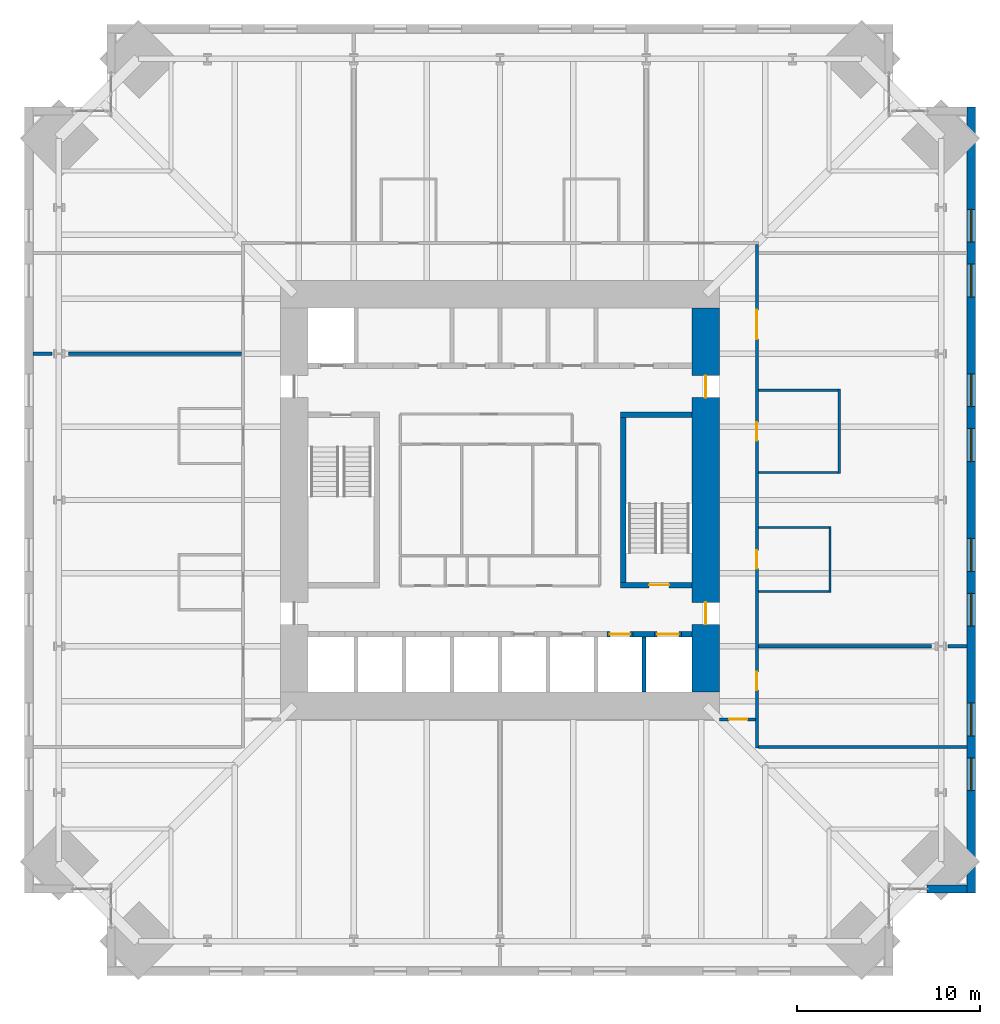
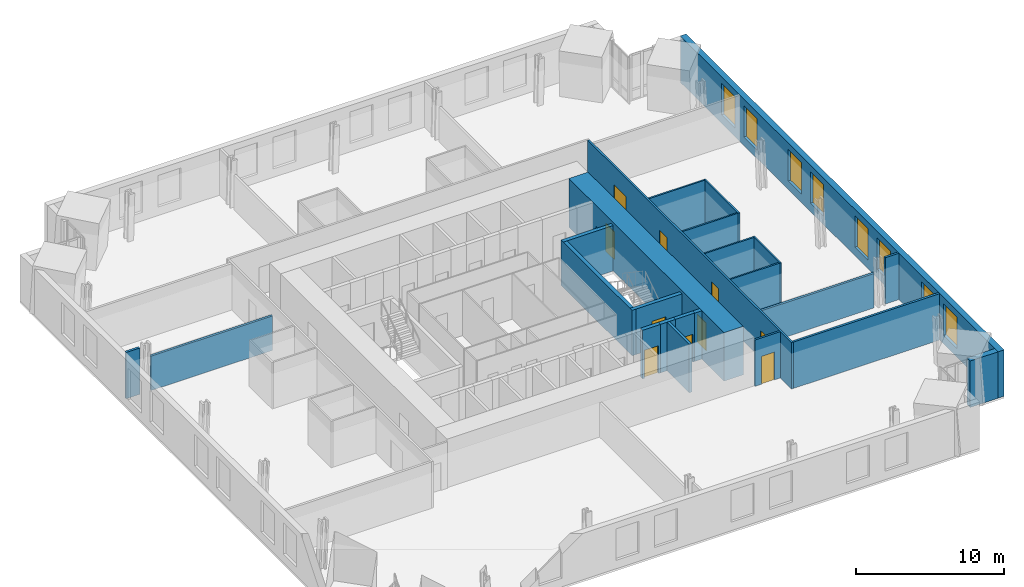
# One storey, part 15 of 18: 24 walls, 10 doors, 8 windows, 18 openings.
"""IFC4 building model written with IfcOpenShell, lengths in metres."""

from ifc_helpers import new_model, si_unit, direction, frame, frame_2d, origin, place, context, subcontext, project, spatial, rectangle, extrude, material, layer, layer_set, type_object, element, fill, save


model = new_model("IFC4")

# Units and contexts
model_context = context("Model", 3, precision=1e-05, world=origin(), true_north=direction((0.0, 1.0)))
body_context = subcontext(model_context, "Body", "Model", "MODEL_VIEW")
ifc_project = project(units=[si_unit("LENGTHUNIT", "METRE"), si_unit("AREAUNIT", "SQUARE_METRE"), si_unit("VOLUMEUNIT", "CUBIC_METRE"), si_unit("PLANEANGLEUNIT", "RADIAN"), si_unit("MASSUNIT", "GRAM", prefix="KILO")], contexts=[model_context])

# Site, building, storey
site_placement = place(None, origin())
site = spatial("IfcSite", under=ifc_project, at=site_placement, CompositionType="ELEMENT")
building_placement = place(site_placement, origin())
building = spatial("IfcBuilding", under=site, at=building_placement, Name="Peilmerk Tower", CompositionType="ELEMENT")
storey_placement = place(building_placement, frame((0.0, 0.0, 167.800048828125)))
storey = spatial("IfcBuildingStorey", under=building, at=storey_placement, Name="L35", CompositionType="ELEMENT", Elevation=167.800048828125)

# Wall, openings, windows
ifc_material_1 = material(Name="Precast concrete C45/55, board-marked finish", Category="concrete")
ifc_layer_1 = layer(ifc_material_1, 0.449951171875)
ifc_layer_set_1 = layer_set([ifc_layer_1], Name="Precast concrete C45/55, board-marked finish")
wall_type_1 = type_object("IfcWallType", Name="EW1 450 precast concrete facade wall, board-marked", PredefinedType="SOLIDWALL", material=ifc_layer_set_1)
wall_1_placement = place(storey_placement, frame((25.77490234375, -21.5, 0.0), z_axis=(0.0, 0.0, 1.0), x_axis=(0.0, 1.0, 0.0)))
wall_1 = element("IfcWall", 1, at=wall_1_placement, inside=storey, type_object=wall_type_1, Name="Facade wall E L35", PredefinedType="SOLIDWALL", context=body_context, shape_type="SweptSolid", body=[
    extrude(rectangle(XDim=43.0, YDim=0.449951171875, at=frame_2d((21.5, 0.0))), origin(), (0.0, 0.0, 1.0), 3.829833984375),
])
opening_1_placement = place(wall_1_placement, frame((5.60009765625, 0.0, 0.699951171875)))
opening_1 = element("IfcOpeningElement", 2, at=opening_1_placement, cuts=wall_1, Name="Opening W1", PredefinedType="OPENING", context=body_context, shape_type="SweptSolid", body=[
    extrude(rectangle(XDim=1.800048828125, YDim=2.60009765625, at=frame_2d((0.89990234375, 1.300048828125))), frame((0.0, 0.23486328125, 0.0), z_axis=(0.0, -1.0, 0.0), x_axis=(1.0, 0.0, 0.0)), (0.0, 0.0, 1.0), 0.469970703125),
])
opening_2_placement = place(wall_1_placement, frame((8.60009765625, 0.0, 0.699951171875)))
opening_2 = element("IfcOpeningElement", 3, at=opening_2_placement, cuts=wall_1, Name="Opening W1", PredefinedType="OPENING", context=body_context, shape_type="SweptSolid", body=[
    extrude(rectangle(XDim=1.800048828125, YDim=2.60009765625, at=frame_2d((0.89990234375, 1.300048828125))), frame((0.0, 0.23486328125, 0.0), z_axis=(0.0, -1.0, 0.0), x_axis=(1.0, 0.0, 0.0)), (0.0, 0.0, 1.0), 0.469970703125),
])
opening_3_placement = place(wall_1_placement, frame((14.60009765625, 0.0, 0.699951171875)))
opening_3 = element("IfcOpeningElement", 4, at=opening_3_placement, cuts=wall_1, Name="Opening W1", PredefinedType="OPENING", context=body_context, shape_type="SweptSolid", body=[
    extrude(rectangle(XDim=1.800048828125, YDim=2.60009765625, at=frame_2d((0.89990234375, 1.300048828125))), frame((0.0, 0.23486328125, 0.0), z_axis=(0.0, -1.0, 0.0), x_axis=(1.0, 0.0, 0.0)), (0.0, 0.0, 1.0), 0.469970703125),
])
opening_4_placement = place(wall_1_placement, frame((17.60009765625, 0.0, 0.699951171875)))
opening_4 = element("IfcOpeningElement", 5, at=opening_4_placement, cuts=wall_1, Name="Opening W1", PredefinedType="OPENING", context=body_context, shape_type="SweptSolid", body=[
    extrude(rectangle(XDim=1.800048828125, YDim=2.60009765625, at=frame_2d((0.89990234375, 1.300048828125))), frame((0.0, 0.23486328125, 0.0), z_axis=(0.0, -1.0, 0.0), x_axis=(1.0, 0.0, 0.0)), (0.0, 0.0, 1.0), 0.469970703125),
])
opening_5_placement = place(wall_1_placement, frame((23.60009765625, 0.0, 0.699951171875)))
opening_5 = element("IfcOpeningElement", 6, at=opening_5_placement, cuts=wall_1, Name="Opening W1", PredefinedType="OPENING", context=body_context, shape_type="SweptSolid", body=[
    extrude(rectangle(XDim=1.800048828125, YDim=2.60009765625, at=frame_2d((0.89990234375, 1.300048828125))), frame((0.0, 0.23486328125, 0.0), z_axis=(0.0, -1.0, 0.0), x_axis=(1.0, 0.0, 0.0)), (0.0, 0.0, 1.0), 0.469970703125),
])
opening_6_placement = place(wall_1_placement, frame((26.60009765625, 0.0, 0.699951171875)))
opening_6 = element("IfcOpeningElement", 7, at=opening_6_placement, cuts=wall_1, Name="Opening W1", PredefinedType="OPENING", context=body_context, shape_type="SweptSolid", body=[
    extrude(rectangle(XDim=1.800048828125, YDim=2.60009765625, at=frame_2d((0.89990234375, 1.300048828125))), frame((0.0, 0.23486328125, 0.0), z_axis=(0.0, -1.0, 0.0), x_axis=(1.0, 0.0, 0.0)), (0.0, 0.0, 1.0), 0.469970703125),
])
opening_7_placement = place(wall_1_placement, frame((32.60009765625, 0.0, 0.699951171875)))
opening_7 = element("IfcOpeningElement", 8, at=opening_7_placement, cuts=wall_1, Name="Opening W1", PredefinedType="OPENING", context=body_context, shape_type="SweptSolid", body=[
    extrude(rectangle(XDim=1.800048828125, YDim=2.60009765625, at=frame_2d((0.89990234375, 1.300048828125))), frame((0.0, 0.23486328125, 0.0), z_axis=(0.0, -1.0, 0.0), x_axis=(1.0, 0.0, 0.0)), (0.0, 0.0, 1.0), 0.469970703125),
])
opening_8_placement = place(wall_1_placement, frame((35.60009765625, 0.0, 0.699951171875)))
opening_8 = element("IfcOpeningElement", 9, at=opening_8_placement, cuts=wall_1, Name="Opening W1", PredefinedType="OPENING", context=body_context, shape_type="SweptSolid", body=[
    extrude(rectangle(XDim=1.800048828125, YDim=2.60009765625, at=frame_2d((0.89990234375, 1.300048828125))), frame((0.0, 0.23486328125, 0.0), z_axis=(0.0, -1.0, 0.0), x_axis=(1.0, 0.0, 0.0)), (0.0, 0.0, 1.0), 0.469970703125),
])
ifc_material_2 = material(Name="Aluminium frame, clear double glazing", Category="aluminium")
window_type = type_object("IfcWindowType", Name="W1 1800x2600 office window", PartitioningType="SINGLE_PANEL", PredefinedType="WINDOW", material=ifc_material_2)
window_1_placement = place(opening_1_placement, origin())
window_1 = element("IfcWindow", 10, at=window_1_placement, inside=storey, type_object=window_type, Name="Window W1 L35", OverallHeight=2.60009765625, OverallWidth=1.800048828125, PartitioningType="SINGLE_PANEL", PredefinedType="WINDOW", context=body_context, shape_type="SweptSolid", body=[
    extrude(rectangle(XDim=1.800048828125, YDim=2.60009765625, at=frame_2d((0.89990234375, 1.300048828125))), frame((0.0, 0.030029296875, 0.0), z_axis=(0.0, -1.0, 0.0), x_axis=(1.0, 0.0, 0.0)), (0.0, 0.0, 1.0), 0.06005859375),
])
fill(opening_1, window_1)
window_2_placement = place(opening_2_placement, origin())
window_2 = element("IfcWindow", 11, at=window_2_placement, inside=storey, type_object=window_type, Name="Window W1 L35", OverallHeight=2.60009765625, OverallWidth=1.800048828125, PartitioningType="SINGLE_PANEL", PredefinedType="WINDOW", context=body_context, shape_type="SweptSolid", body=[
    extrude(rectangle(XDim=1.800048828125, YDim=2.60009765625, at=frame_2d((0.89990234375, 1.300048828125))), frame((0.0, 0.030029296875, 0.0), z_axis=(0.0, -1.0, 0.0), x_axis=(1.0, 0.0, 0.0)), (0.0, 0.0, 1.0), 0.06005859375),
])
fill(opening_2, window_2)
window_3_placement = place(opening_3_placement, origin())
window_3 = element("IfcWindow", 12, at=window_3_placement, inside=storey, type_object=window_type, Name="Window W1 L35", OverallHeight=2.60009765625, OverallWidth=1.800048828125, PartitioningType="SINGLE_PANEL", PredefinedType="WINDOW", context=body_context, shape_type="SweptSolid", body=[
    extrude(rectangle(XDim=1.800048828125, YDim=2.60009765625, at=frame_2d((0.89990234375, 1.300048828125))), frame((0.0, 0.030029296875, 0.0), z_axis=(0.0, -1.0, 0.0), x_axis=(1.0, 0.0, 0.0)), (0.0, 0.0, 1.0), 0.06005859375),
])
fill(opening_3, window_3)
window_4_placement = place(opening_4_placement, origin())
window_4 = element("IfcWindow", 13, at=window_4_placement, inside=storey, type_object=window_type, Name="Window W1 L35", OverallHeight=2.60009765625, OverallWidth=1.800048828125, PartitioningType="SINGLE_PANEL", PredefinedType="WINDOW", context=body_context, shape_type="SweptSolid", body=[
    extrude(rectangle(XDim=1.800048828125, YDim=2.60009765625, at=frame_2d((0.89990234375, 1.300048828125))), frame((0.0, 0.030029296875, 0.0), z_axis=(0.0, -1.0, 0.0), x_axis=(1.0, 0.0, 0.0)), (0.0, 0.0, 1.0), 0.06005859375),
])
fill(opening_4, window_4)
window_5_placement = place(opening_5_placement, origin())
window_5 = element("IfcWindow", 14, at=window_5_placement, inside=storey, type_object=window_type, Name="Window W1 L35", OverallHeight=2.60009765625, OverallWidth=1.800048828125, PartitioningType="SINGLE_PANEL", PredefinedType="WINDOW", context=body_context, shape_type="SweptSolid", body=[
    extrude(rectangle(XDim=1.800048828125, YDim=2.60009765625, at=frame_2d((0.89990234375, 1.300048828125))), frame((0.0, 0.030029296875, 0.0), z_axis=(0.0, -1.0, 0.0), x_axis=(1.0, 0.0, 0.0)), (0.0, 0.0, 1.0), 0.06005859375),
])
fill(opening_5, window_5)
window_6_placement = place(opening_6_placement, origin())
window_6 = element("IfcWindow", 15, at=window_6_placement, inside=storey, type_object=window_type, Name="Window W1 L35", OverallHeight=2.60009765625, OverallWidth=1.800048828125, PartitioningType="SINGLE_PANEL", PredefinedType="WINDOW", context=body_context, shape_type="SweptSolid", body=[
    extrude(rectangle(XDim=1.800048828125, YDim=2.60009765625, at=frame_2d((0.89990234375, 1.300048828125))), frame((0.0, 0.030029296875, 0.0), z_axis=(0.0, -1.0, 0.0), x_axis=(1.0, 0.0, 0.0)), (0.0, 0.0, 1.0), 0.06005859375),
])
fill(opening_6, window_6)
window_7_placement = place(opening_7_placement, origin())
window_7 = element("IfcWindow", 16, at=window_7_placement, inside=storey, type_object=window_type, Name="Window W1 L35", OverallHeight=2.60009765625, OverallWidth=1.800048828125, PartitioningType="SINGLE_PANEL", PredefinedType="WINDOW", context=body_context, shape_type="SweptSolid", body=[
    extrude(rectangle(XDim=1.800048828125, YDim=2.60009765625, at=frame_2d((0.89990234375, 1.300048828125))), frame((0.0, 0.030029296875, 0.0), z_axis=(0.0, -1.0, 0.0), x_axis=(1.0, 0.0, 0.0)), (0.0, 0.0, 1.0), 0.06005859375),
])
fill(opening_7, window_7)
window_8_placement = place(opening_8_placement, origin())
window_8 = element("IfcWindow", 17, at=window_8_placement, inside=storey, type_object=window_type, Name="Window W1 L35", OverallHeight=2.60009765625, OverallWidth=1.800048828125, PartitioningType="SINGLE_PANEL", PredefinedType="WINDOW", context=body_context, shape_type="SweptSolid", body=[
    extrude(rectangle(XDim=1.800048828125, YDim=2.60009765625, at=frame_2d((0.89990234375, 1.300048828125))), frame((0.0, 0.030029296875, 0.0), z_axis=(0.0, -1.0, 0.0), x_axis=(1.0, 0.0, 0.0)), (0.0, 0.0, 1.0), 0.06005859375),
])
fill(opening_8, window_8)

# Wall
wall_2_placement = place(storey_placement, frame((23.353759765625, -21.27490234375, 0.0), z_axis=(0.0, 0.0, 1.0), x_axis=(1.0, 0.0, 0.0)))
element("IfcWall", 18, at=wall_2_placement, inside=storey, type_object=wall_type_1, Name="Facade wall SEB L35", PredefinedType="SOLIDWALL", context=body_context, shape_type="SweptSolid", body=[
    extrude(rectangle(XDim=2.1962890625, YDim=0.449951171875, at=frame_2d((1.09814453125, 0.0))), origin(), (0.0, 0.0, 1.0), 3.829833984375),
])

# Wall, openings, doors
ifc_material_3 = material(Name="Calcium silicate block", Category="masonry")
ifc_layer_2 = layer(ifc_material_3, 0.14990234375)
ifc_layer_set_2 = layer_set([ifc_layer_2], Name="Calcium silicate block")
wall_type_2 = type_object("IfcWallType", Name="IW1 150 corridor partition, EI 60", PredefinedType="PARTITIONING", material=ifc_layer_set_2)
wall_3_placement = place(storey_placement, frame((14.050048828125, -13.574951171875, 0.0), z_axis=(0.0, 0.0, 1.0), x_axis=(0.0, 1.0, 0.0)))
wall_3 = element("IfcWall", 19, at=wall_3_placement, inside=storey, type_object=wall_type_2, Name="Corridor wall E L35", PredefinedType="PARTITIONING", context=body_context, shape_type="SweptSolid", body=[
    extrude(rectangle(XDim=27.550048828125, YDim=0.14990234375, at=frame_2d((13.77490234375, 0.0))), origin(), (0.0, 0.0, 1.0), 3.829833984375),
])
opening_9_placement = place(wall_3_placement, frame((3.175048828125, 0.0, 0.0)))
opening_9 = element("IfcOpeningElement", 20, at=opening_9_placement, cuts=wall_3, Name="Opening D1", PredefinedType="OPENING", context=body_context, shape_type="SweptSolid", body=[
    extrude(rectangle(XDim=1.0, YDim=2.300048828125, at=frame_2d((0.5, 1.14990234375))), frame((0.0, 0.0849609375, 0.0), z_axis=(0.0, -1.0, 0.0), x_axis=(1.0, 0.0, 0.0)), (0.0, 0.0, 1.0), 0.169921875),
])
opening_10_placement = place(wall_3_placement, frame((22.375, 0.0, 0.0)))
opening_10 = element("IfcOpeningElement", 21, at=opening_10_placement, cuts=wall_3, Name="Opening D9", PredefinedType="OPENING", context=body_context, shape_type="SweptSolid", body=[
    extrude(rectangle(XDim=1.60009765625, YDim=2.300048828125, at=frame_2d((0.800048828125, 1.14990234375))), frame((0.0, 0.0849609375, 0.0), z_axis=(0.0, -1.0, 0.0), x_axis=(1.0, 0.0, 0.0)), (0.0, 0.0, 1.0), 0.169921875),
])
opening_11_placement = place(wall_3_placement, frame((16.824951171875, 0.0, 0.0)))
opening_11 = element("IfcOpeningElement", 22, at=opening_11_placement, cuts=wall_3, Name="Opening D1", PredefinedType="OPENING", context=body_context, shape_type="SweptSolid", body=[
    extrude(rectangle(XDim=1.0, YDim=2.300048828125, at=frame_2d((0.5, 1.14990234375))), frame((0.0, 0.0849609375, 0.0), z_axis=(0.0, -1.0, 0.0), x_axis=(1.0, 0.0, 0.0)), (0.0, 0.0, 1.0), 0.169921875),
])
opening_12_placement = place(wall_3_placement, frame((9.824951171875, 0.0, 0.0)))
opening_12 = element("IfcOpeningElement", 23, at=opening_12_placement, cuts=wall_3, Name="Opening D1", PredefinedType="OPENING", context=body_context, shape_type="SweptSolid", body=[
    extrude(rectangle(XDim=1.0, YDim=2.300048828125, at=frame_2d((0.5, 1.14990234375))), frame((0.0, 0.0849609375, 0.0), z_axis=(0.0, -1.0, 0.0), x_axis=(1.0, 0.0, 0.0)), (0.0, 0.0, 1.0), 0.169921875),
])
ifc_material_4 = material(Name="Timber door in steel frame", Category="steel")
door_type_1 = type_object("IfcDoorType", Name="D1 1000x2300 room door, EI2 30", OperationType="SINGLE_SWING_LEFT", PredefinedType="DOOR", material=ifc_material_4)
door_1_placement = place(opening_9_placement, frame((1.0, 0.0, 0.0), z_axis=(0.0, 0.0, 1.0), x_axis=(-1.0, 0.0, 0.0)))
door_1 = element("IfcDoor", 24, at=door_1_placement, inside=storey, type_object=door_type_1, Name="Door Project room L35", OperationType="SINGLE_SWING_LEFT", OverallHeight=2.300048828125, OverallWidth=1.0, PredefinedType="DOOR", context=body_context, shape_type="SweptSolid", body=[
    extrude(rectangle(XDim=1.0, YDim=2.300048828125, at=frame_2d((0.5, 1.14990234375))), frame((0.0, 0.02490234375, 0.0), z_axis=(0.0, -1.0, 0.0), x_axis=(1.0, 0.0, 0.0)), (0.0, 0.0, 1.0), 0.050048828125),
])
fill(opening_9, door_1)
door_2_placement = place(opening_11_placement, frame((1.0, 0.0, 0.0), z_axis=(0.0, 0.0, 1.0), x_axis=(-1.0, 0.0, 0.0)))
door_2 = element("IfcDoor", 25, at=door_2_placement, inside=storey, type_object=door_type_1, Name="Door Meeting room L35", OperationType="SINGLE_SWING_LEFT", OverallHeight=2.300048828125, OverallWidth=1.0, PredefinedType="DOOR", context=body_context, shape_type="SweptSolid", body=[
    extrude(rectangle(XDim=1.0, YDim=2.300048828125, at=frame_2d((0.5, 1.14990234375))), frame((0.0, 0.02490234375, 0.0), z_axis=(0.0, -1.0, 0.0), x_axis=(1.0, 0.0, 0.0)), (0.0, 0.0, 1.0), 0.050048828125),
])
fill(opening_11, door_2)
door_3_placement = place(opening_12_placement, frame((1.0, 0.0, 0.0), z_axis=(0.0, 0.0, 1.0), x_axis=(-1.0, 0.0, 0.0)))
door_3 = element("IfcDoor", 26, at=door_3_placement, inside=storey, type_object=door_type_1, Name="Door Pantry L35", OperationType="SINGLE_SWING_LEFT", OverallHeight=2.300048828125, OverallWidth=1.0, PredefinedType="DOOR", context=body_context, shape_type="SweptSolid", body=[
    extrude(rectangle(XDim=1.0, YDim=2.300048828125, at=frame_2d((0.5, 1.14990234375))), frame((0.0, 0.02490234375, 0.0), z_axis=(0.0, -1.0, 0.0), x_axis=(1.0, 0.0, 0.0)), (0.0, 0.0, 1.0), 0.050048828125),
])
fill(opening_12, door_3)
ifc_material_5 = material(Name="Glazed timber door in steel frame", Category="steel")
door_type_2 = type_object("IfcDoorType", Name="D9 1600x2300 glazed double door, EI2 30", OperationType="DOUBLE_DOOR_SINGLE_SWING", PredefinedType="DOOR", material=ifc_material_5)
door_4_placement = place(opening_10_placement, frame((1.60009765625, 0.0, 0.0), z_axis=(0.0, 0.0, 1.0), x_axis=(-1.0, 0.0, 0.0)))
door_4 = element("IfcDoor", 27, at=door_4_placement, inside=storey, type_object=door_type_2, Name="Door Open workspace L35", OperationType="DOUBLE_DOOR_SINGLE_SWING", OverallHeight=2.300048828125, OverallWidth=1.60009765625, PredefinedType="DOOR", context=body_context, shape_type="SweptSolid", body=[
    extrude(rectangle(XDim=1.60009765625, YDim=2.300048828125, at=frame_2d((0.800048828125, 1.14990234375))), frame((0.0, 0.02490234375, 0.0), z_axis=(0.0, -1.0, 0.0), x_axis=(1.0, 0.0, 0.0)), (0.0, 0.0, 1.0), 0.050048828125),
])
fill(opening_10, door_4)

# Wall, opening, door
wall_4_placement = place(storey_placement, frame((13.97509765625, -12.0, 0.0), z_axis=(0.0, 0.0, 1.0), x_axis=(-1.0, 0.0, 0.0)))
wall_4 = element("IfcWall", 28, at=wall_4_placement, inside=storey, type_object=wall_type_2, Name="Corridor wall SE L35", PredefinedType="PARTITIONING", context=body_context, shape_type="SweptSolid", body=[
    extrude(rectangle(XDim=1.97509765625, YDim=0.14990234375, at=frame_2d((0.987548828125, 0.0))), origin(), (0.0, 0.0, 1.0), 3.829833984375),
])
opening_13_placement = place(wall_4_placement, frame((0.449951171875, 0.0, 0.0)))
opening_13 = element("IfcOpeningElement", 29, at=opening_13_placement, cuts=wall_4, Name="Opening D1", PredefinedType="OPENING", context=body_context, shape_type="SweptSolid", body=[
    extrude(rectangle(XDim=1.0, YDim=2.300048828125, at=frame_2d((0.5, 1.14990234375))), frame((0.0, 0.0849609375, 0.0), z_axis=(0.0, -1.0, 0.0), x_axis=(1.0, 0.0, 0.0)), (0.0, 0.0, 1.0), 0.169921875),
])
door_5_placement = place(opening_13_placement, origin())
door_5 = element("IfcDoor", 30, at=door_5_placement, inside=storey, type_object=door_type_1, Name="Door Open workspace L35", OperationType="SINGLE_SWING_LEFT", OverallHeight=2.300048828125, OverallWidth=1.0, PredefinedType="DOOR", context=body_context, shape_type="SweptSolid", body=[
    extrude(rectangle(XDim=1.0, YDim=2.300048828125, at=frame_2d((0.5, 1.14990234375))), frame((0.0, 0.02490234375, 0.0), z_axis=(0.0, -1.0, 0.0), x_axis=(1.0, 0.0, 0.0)), (0.0, 0.0, 1.0), 0.050048828125),
])
fill(opening_13, door_5)

# Walls
ifc_material_6 = material(Name="Concrete C35/45", Category="concrete")
ifc_layer_3 = layer(ifc_material_6, 0.300048828125)
ifc_layer_set_3 = layer_set([ifc_layer_3], Name="Concrete C35/45")
wall_type_3 = type_object("IfcWallType", Name="IW3 300 concrete stair enclosure wall, EI 120", PredefinedType="SOLIDWALL", material=ifc_layer_set_3)
wall_5_placement = place(storey_placement, frame((6.75, -4.800048828125, 0.0), z_axis=(0.0, 0.0, 1.0), x_axis=(0.0, 1.0, 0.0)))
element("IfcWall", 31, at=wall_5_placement, inside=storey, type_object=wall_type_3, Name="Stair 2 enclosure L35", PredefinedType="SOLIDWALL", context=body_context, shape_type="SweptSolid", body=[
    extrude(rectangle(XDim=9.60009765625, YDim=0.300048828125, at=frame_2d((4.800048828125, 0.0))), origin(), (0.0, 0.0, 1.0), 3.75),
])
wall_6_placement = place(storey_placement, frame((6.60009765625, 4.64990234375, 0.0), z_axis=(0.0, 0.0, 1.0), x_axis=(1.0, 0.0, 0.0)))
element("IfcWall", 32, at=wall_6_placement, inside=storey, type_object=wall_type_3, Name="Stair 2 enclosure L35", PredefinedType="SOLIDWALL", context=body_context, shape_type="SweptSolid", body=[
    extrude(rectangle(XDim=3.89990234375, YDim=0.300048828125, at=frame_2d((1.949951171875, 0.0))), origin(), (0.0, 0.0, 1.0), 3.75),
])

# Wall, opening, door
wall_7_placement = place(storey_placement, frame((10.5, -4.64990234375, 0.0), z_axis=(0.0, 0.0, 1.0), x_axis=(-1.0, 0.0, 0.0)))
wall_7 = element("IfcWall", 33, at=wall_7_placement, inside=storey, type_object=wall_type_3, Name="Stair 2 enclosure L35", PredefinedType="SOLIDWALL", context=body_context, shape_type="SweptSolid", body=[
    extrude(rectangle(XDim=3.89990234375, YDim=0.300048828125, at=frame_2d((1.949951171875, 0.0))), origin(), (0.0, 0.0, 1.0), 3.75),
])
opening_14_placement = place(wall_7_placement, frame((1.25, 0.0, 0.0)))
opening_14 = element("IfcOpeningElement", 34, at=opening_14_placement, cuts=wall_7, Name="Opening D4", PredefinedType="OPENING", context=body_context, shape_type="SweptSolid", body=[
    extrude(rectangle(XDim=1.10009765625, YDim=2.300048828125, at=frame_2d((0.550048828125, 1.14990234375))), frame((0.0, 0.159912109375, 0.0), z_axis=(0.0, -1.0, 0.0), x_axis=(1.0, 0.0, 0.0)), (0.0, 0.0, 1.0), 0.320068359375),
])
ifc_material_7 = material(Name="Steel door in steel frame", Category="steel")
door_type_3 = type_object("IfcDoorType", Name="D4 1100x2300 stair door, EI2 60", OperationType="SINGLE_SWING_RIGHT", PredefinedType="DOOR", material=ifc_material_7)
door_6_placement = place(opening_14_placement, frame((1.10009765625, 0.0, 0.0), z_axis=(0.0, 0.0, 1.0), x_axis=(-1.0, 0.0, 0.0)))
door_6 = element("IfcDoor", 35, at=door_6_placement, inside=storey, type_object=door_type_3, Name="Stair 2 door L35", OperationType="SINGLE_SWING_RIGHT", OverallHeight=2.300048828125, OverallWidth=1.10009765625, PredefinedType="DOOR", context=body_context, shape_type="SweptSolid", body=[
    extrude(rectangle(XDim=1.10009765625, YDim=2.300048828125, at=frame_2d((0.550048828125, 1.14990234375))), frame((0.0, 0.02490234375, 0.0), z_axis=(0.0, -1.0, 0.0), x_axis=(1.0, 0.0, 0.0)), (0.0, 0.0, 1.0), 0.050048828125),
])
fill(opening_14, door_6)

# Walls
ifc_material_8 = material(Name="Plasterboard on steel studs, double boarded with mineral wool", Category="steel")
ifc_layer_4 = layer(ifc_material_8, 0.125)
ifc_layer_set_4 = layer_set([ifc_layer_4], Name="Plasterboard on steel studs, double boarded with mineral wool")
wall_type_4 = type_object("IfcWallType", Name="IW7 125 acoustic partition, EI 30", PredefinedType="PARTITIONING", material=ifc_layer_set_4)
wall_8_placement = place(storey_placement, frame((18.550048828125, 1.4375, 0.0), z_axis=(0.0, 0.0, 1.0), x_axis=(0.0, 1.0, 0.0)))
element("IfcWall", 36, at=wall_8_placement, inside=storey, type_object=wall_type_4, Name="Acoustic partition Meeting room L35", PredefinedType="PARTITIONING", context=body_context, shape_type="SweptSolid", body=[
    extrude(rectangle(XDim=4.625, YDim=0.125, at=frame_2d((2.3125, 0.0))), origin(), (0.0, 0.0, 1.0), 3.829833984375),
])
for number, where, z_axis, x_axis, name in (
    (37, (14.125, 1.5, 0.0), (0.0, 0.0, 1.0), (1.0, 0.0, 0.0), "Acoustic partition Meeting room L35"),
    (38, (14.125, 6.0, 0.0), (0.0, 0.0, 1.0), (1.0, 0.0, 0.0), "Acoustic partition Meeting room L35"),
):
    element("IfcWall", number, at=place(storey_placement, frame(where, z_axis=z_axis, x_axis=x_axis)), inside=storey, type_object=wall_type_4, Name=name, PredefinedType="PARTITIONING", context=body_context, shape_type="SweptSolid", body=[
        extrude(rectangle(XDim=4.362548828125, YDim=0.125, at=frame_2d((2.18115234375, 0.0))), origin(), (0.0, 0.0, 1.0), 3.829833984375),
    ])
wall_9_placement = place(storey_placement, frame((18.050048828125, -5.0625, 0.0), z_axis=(0.0, 0.0, 1.0), x_axis=(0.0, 1.0, 0.0)))
element("IfcWall", 39, at=wall_9_placement, inside=storey, type_object=wall_type_4, Name="Acoustic partition Pantry L35", PredefinedType="PARTITIONING", context=body_context, shape_type="SweptSolid", body=[
    extrude(rectangle(XDim=3.625, YDim=0.125, at=frame_2d((1.8125, 0.0))), origin(), (0.0, 0.0, 1.0), 3.829833984375),
])
for number, where, z_axis, x_axis, name in (
    (40, (14.125, -5.0, 0.0), (0.0, 0.0, 1.0), (1.0, 0.0, 0.0), "Acoustic partition Pantry L35"),
    (41, (14.125, -1.5, 0.0), (0.0, 0.0, 1.0), (1.0, 0.0, 0.0), "Acoustic partition Pantry L35"),
):
    element("IfcWall", number, at=place(storey_placement, frame(where, z_axis=z_axis, x_axis=x_axis)), inside=storey, type_object=wall_type_4, Name=name, PredefinedType="PARTITIONING", context=body_context, shape_type="SweptSolid", body=[
        extrude(rectangle(XDim=3.862548828125, YDim=0.125, at=frame_2d((1.93115234375, 0.0))), origin(), (0.0, 0.0, 1.0), 3.829833984375),
    ])
ifc_layer_5 = layer(ifc_material_3, 0.175048828125)
ifc_layer_set_5 = layer_set([ifc_layer_5], Name="Calcium silicate block")
wall_type_5 = type_object("IfcWallType", Name="IW8 175 tenant separating wall, EI 60", PredefinedType="PARTITIONING", material=ifc_layer_set_5)
wall_10_placement = place(storey_placement, frame((25.550048828125, -13.5, 0.0), z_axis=(0.0, 0.0, 1.0), x_axis=(-1.0, 0.0, 0.0)))
element("IfcWall", 42, at=wall_10_placement, inside=storey, type_object=wall_type_5, Name="Tenant separating wall SE L35", PredefinedType="PARTITIONING", context=body_context, shape_type="SweptSolid", body=[
    extrude(rectangle(XDim=11.425048828125, YDim=0.175048828125, at=frame_2d((5.71240234375, 0.0))), origin(), (0.0, 0.0, 1.0), 3.829833984375),
])
wall_11_placement = place(storey_placement, frame((14.125, -8.0, 0.0), z_axis=(0.0, 0.0, 1.0), x_axis=(1.0, 0.0, 0.0)))
element("IfcWall", 43, at=wall_11_placement, inside=storey, type_object=wall_type_5, Name="Tenant separating wall E1 L35", PredefinedType="PARTITIONING", context=body_context, shape_type="SweptSolid", body=[
    extrude(rectangle(XDim=9.48046875, YDim=0.175048828125, at=frame_2d((4.740234375, 0.0))), origin(), (0.0, 0.0, 1.0), 2.83984375),
])
wall_12_placement = place(storey_placement, frame((24.49462890625, -8.0, 0.0), z_axis=(0.0, 0.0, 1.0), x_axis=(1.0, 0.0, 0.0)))
element("IfcWall", 44, at=wall_12_placement, inside=storey, type_object=wall_type_5, Name="Tenant separating wall E1b L35", PredefinedType="PARTITIONING", context=body_context, shape_type="SweptSolid", body=[
    extrude(rectangle(XDim=1.055419921875, YDim=0.175048828125, at=frame_2d((0.52783203125, 0.0))), origin(), (0.0, 0.0, 1.0), 3.829833984375),
])
wall_13_placement = place(storey_placement, frame((-14.125, 8.0, 0.0), z_axis=(0.0, 0.0, 1.0), x_axis=(-1.0, 0.0, 0.0)))
element("IfcWall", 45, at=wall_13_placement, inside=storey, type_object=wall_type_5, Name="Tenant separating wall W1 L35", PredefinedType="PARTITIONING", context=body_context, shape_type="SweptSolid", body=[
    extrude(rectangle(XDim=9.48046875, YDim=0.175048828125, at=frame_2d((4.740234375, 0.0))), origin(), (0.0, 0.0, 1.0), 2.83984375),
])
wall_14_placement = place(storey_placement, frame((-24.49462890625, 8.0, 0.0), z_axis=(0.0, 0.0, 1.0), x_axis=(-1.0, 0.0, 0.0)))
element("IfcWall", 46, at=wall_14_placement, inside=storey, type_object=wall_type_5, Name="Tenant separating wall W1b L35", PredefinedType="PARTITIONING", context=body_context, shape_type="SweptSolid", body=[
    extrude(rectangle(XDim=1.055419921875, YDim=0.175048828125, at=frame_2d((0.52783203125, 0.0))), origin(), (0.0, 0.0, 1.0), 3.829833984375),
])
ifc_layer_6 = layer(ifc_material_3, 0.199951171875)
ifc_layer_set_6 = layer_set([ifc_layer_6], Name="Calcium silicate block")
wall_type_6 = type_object("IfcWallType", Name="SH1 200 shaft dividing wall, EI 120", PredefinedType="PARTITIONING", material=ifc_layer_set_6)
wall_15_placement = place(storey_placement, frame((7.875, -10.5, 0.0), z_axis=(0.0, 0.0, 1.0), x_axis=(0.0, 1.0, 0.0)))
element("IfcWall", 47, at=wall_15_placement, inside=storey, type_object=wall_type_6, Name="Shaft wall S B1 L35", PredefinedType="PARTITIONING", context=body_context, shape_type="SweptSolid", body=[
    extrude(rectangle(XDim=3.0, YDim=0.199951171875, at=frame_2d((1.5, 0.0))), origin(), (0.0, 0.0, 1.0), 4.0),
])

# Wall, opening, door
ifc_layer_7 = layer(ifc_material_3, 0.300048828125)
ifc_layer_set_7 = layer_set([ifc_layer_7], Name="Calcium silicate block")
wall_type_7 = type_object("IfcWallType", Name="SH2 300 lift landing door panel, EI 120", PredefinedType="PARTITIONING", material=ifc_layer_set_7)
wall_16_placement = place(storey_placement, frame((5.862548828125, -7.35009765625, 0.0), z_axis=(0.0, 0.0, 1.0), x_axis=(1.0, 0.0, 0.0)))
wall_16 = element("IfcWall", 48, at=wall_16_placement, inside=storey, type_object=wall_type_7, Name="Lift door panel S B1 L35", PredefinedType="PARTITIONING", context=body_context, shape_type="SweptSolid", body=[
    extrude(rectangle(XDim=1.39990234375, YDim=0.300048828125, at=frame_2d((0.699951171875, 0.0))), origin(), (0.0, 0.0, 1.0), 4.0),
])
opening_15_placement = place(wall_16_placement, frame((0.14990234375, 0.0, 0.0)))
opening_15 = element("IfcOpeningElement", 49, at=opening_15_placement, cuts=wall_16, Name="Opening LD1", PredefinedType="OPENING", context=body_context, shape_type="SweptSolid", body=[
    extrude(rectangle(XDim=1.10009765625, YDim=2.300048828125, at=frame_2d((0.550048828125, 1.14990234375))), frame((0.0, 0.159912109375, 0.0), z_axis=(0.0, -1.0, 0.0), x_axis=(1.0, 0.0, 0.0)), (0.0, 0.0, 1.0), 0.320068359375),
])
ifc_material_9 = material(Name="Stainless steel landing door", Category="steel")
door_type_4 = type_object("IfcDoorType", Name="LD1 1100x2300 lift landing door, sliding, EI2 60", OperationType="SLIDING_TO_LEFT", PredefinedType="DOOR", material=ifc_material_9)
door_7_placement = place(opening_15_placement, origin())
door_7 = element("IfcDoor", 50, at=door_7_placement, inside=storey, type_object=door_type_4, Name="Lift landing door B1 L35", OperationType="SLIDING_TO_LEFT", OverallHeight=2.300048828125, OverallWidth=1.10009765625, PredefinedType="DOOR", context=body_context, shape_type="SweptSolid", body=[
    extrude(rectangle(XDim=1.10009765625, YDim=2.300048828125, at=frame_2d((0.550048828125, 1.14990234375))), frame((0.0, 0.02490234375, 0.0), z_axis=(0.0, -1.0, 0.0), x_axis=(1.0, 0.0, 0.0)), (0.0, 0.0, 1.0), 0.050048828125),
])
fill(opening_15, door_7)

wall_17_placement = place(storey_placement, frame((8.4375, -7.35009765625, 0.0), z_axis=(0.0, 0.0, 1.0), x_axis=(1.0, 0.0, 0.0)))
wall_17 = element("IfcWall", 51, at=wall_17_placement, inside=storey, type_object=wall_type_7, Name="Lift door panel S FL2 L35", PredefinedType="PARTITIONING", context=body_context, shape_type="SweptSolid", body=[
    extrude(rectangle(XDim=1.5, YDim=0.300048828125, at=frame_2d((0.75, 0.0))), origin(), (0.0, 0.0, 1.0), 4.0),
])
opening_16_placement = place(wall_17_placement, frame((0.14990234375, 0.0, 0.0)))
opening_16 = element("IfcOpeningElement", 52, at=opening_16_placement, cuts=wall_17, Name="Opening LD2", PredefinedType="OPENING", context=body_context, shape_type="SweptSolid", body=[
    extrude(rectangle(XDim=1.199951171875, YDim=2.300048828125, at=frame_2d((0.60009765625, 1.14990234375))), frame((0.0, 0.159912109375, 0.0), z_axis=(0.0, -1.0, 0.0), x_axis=(1.0, 0.0, 0.0)), (0.0, 0.0, 1.0), 0.320068359375),
])
door_type_5 = type_object("IfcDoorType", Name="LD2 1200x2300 lift landing door, sliding, EI2 60", OperationType="SLIDING_TO_LEFT", PredefinedType="DOOR", material=ifc_material_9)
door_8_placement = place(opening_16_placement, origin())
door_8 = element("IfcDoor", 53, at=door_8_placement, inside=storey, type_object=door_type_5, Name="Lift landing door FL2 L35", OperationType="SLIDING_TO_LEFT", OverallHeight=2.300048828125, OverallWidth=1.199951171875, PredefinedType="DOOR", context=body_context, shape_type="SweptSolid", body=[
    extrude(rectangle(XDim=1.199951171875, YDim=2.300048828125, at=frame_2d((0.60009765625, 1.14990234375))), frame((0.0, 0.02490234375, 0.0), z_axis=(0.0, -1.0, 0.0), x_axis=(1.0, 0.0, 0.0)), (0.0, 0.0, 1.0), 0.050048828125),
])
fill(opening_16, door_8)

# Wall, openings, doors
ifc_material_10 = material(Name="Concrete C55/67", Category="concrete")
ifc_layer_8 = layer(ifc_material_10, 1.5)
ifc_layer_set_8 = layer_set([ifc_layer_8], Name="Concrete C55/67")
wall_type_8 = type_object("IfcWallType", Name="SW1 1500 core wall", PredefinedType="SHEAR", material=ifc_layer_set_8)
wall_18_placement = place(storey_placement, frame((11.25, 10.5, 0.0), z_axis=(0.0, 0.0, 1.0), x_axis=(0.0, -1.0, 0.0)))
wall_18 = element("IfcWall", 54, at=wall_18_placement, inside=storey, type_object=wall_type_8, Name="Core wall E L35", PredefinedType="SHEAR", context=body_context, shape_type="SweptSolid", body=[
    extrude(rectangle(XDim=21.0, YDim=1.5, at=frame_2d((10.5, 0.0))), origin(), (0.0, 0.0, 1.0), 4.0),
])
opening_17_placement = place(wall_18_placement, frame((3.699951171875, 0.0, 0.0)))
opening_17 = element("IfcOpeningElement", 55, at=opening_17_placement, cuts=wall_18, Name="Opening D3", PredefinedType="OPENING", context=body_context, shape_type="SweptSolid", body=[
    extrude(rectangle(XDim=1.199951171875, YDim=2.300048828125, at=frame_2d((0.60009765625, 1.14990234375))), frame((0.0, 0.760009765625, 0.0), z_axis=(0.0, -1.0, 0.0), x_axis=(1.0, 0.0, 0.0)), (0.0, 0.0, 1.0), 1.52001953125),
])
opening_18_placement = place(wall_18_placement, frame((16.10009765625, 0.0, 0.0)))
opening_18 = element("IfcOpeningElement", 56, at=opening_18_placement, cuts=wall_18, Name="Opening D3", PredefinedType="OPENING", context=body_context, shape_type="SweptSolid", body=[
    extrude(rectangle(XDim=1.199951171875, YDim=2.300048828125, at=frame_2d((0.60009765625, 1.14990234375))), frame((0.0, 0.760009765625, 0.0), z_axis=(0.0, -1.0, 0.0), x_axis=(1.0, 0.0, 0.0)), (0.0, 0.0, 1.0), 1.52001953125),
])
door_type_6 = type_object("IfcDoorType", Name="D3 1200x2300 core door, EI2 60", OperationType="SINGLE_SWING_LEFT", PredefinedType="DOOR", material=ifc_material_7)
door_9_placement = place(opening_17_placement, frame((1.199951171875, 0.0, 0.0), z_axis=(0.0, 0.0, 1.0), x_axis=(-1.0, 0.0, 0.0)))
door_9 = element("IfcDoor", 57, at=door_9_placement, inside=storey, type_object=door_type_6, Name="Core door L35", OperationType="SINGLE_SWING_LEFT", OverallHeight=2.300048828125, OverallWidth=1.199951171875, PredefinedType="DOOR", context=body_context, shape_type="SweptSolid", body=[
    extrude(rectangle(XDim=1.199951171875, YDim=2.300048828125, at=frame_2d((0.60009765625, 1.14990234375))), frame((0.0, 0.02490234375, 0.0), z_axis=(0.0, -1.0, 0.0), x_axis=(1.0, 0.0, 0.0)), (0.0, 0.0, 1.0), 0.050048828125),
])
fill(opening_17, door_9)
door_10_placement = place(opening_18_placement, frame((1.199951171875, 0.0, 0.0), z_axis=(0.0, 0.0, 1.0), x_axis=(-1.0, 0.0, 0.0)))
door_10 = element("IfcDoor", 58, at=door_10_placement, inside=storey, type_object=door_type_6, Name="Core door L35", OperationType="SINGLE_SWING_LEFT", OverallHeight=2.300048828125, OverallWidth=1.199951171875, PredefinedType="DOOR", context=body_context, shape_type="SweptSolid", body=[
    extrude(rectangle(XDim=1.199951171875, YDim=2.300048828125, at=frame_2d((0.60009765625, 1.14990234375))), frame((0.0, 0.02490234375, 0.0), z_axis=(0.0, -1.0, 0.0), x_axis=(1.0, 0.0, 0.0)), (0.0, 0.0, 1.0), 0.050048828125),
])
fill(opening_18, door_10)

# Walls
ifc_layer_9 = layer(ifc_material_10, 0.300048828125)
ifc_layer_set_9 = layer_set([ifc_layer_9], Name="Concrete C55/67")
wall_type_9 = type_object("IfcWallType", Name="SW2 300 lift bank pier", PredefinedType="SHEAR", material=ifc_layer_set_9)
wall_19_placement = place(storey_placement, frame((7.262451171875, -7.35009765625, 0.0), z_axis=(0.0, 0.0, 1.0), x_axis=(1.0, 0.0, 0.0)))
element("IfcWall", 59, at=wall_19_placement, inside=storey, type_object=wall_type_9, Name="Lift bank pier S L35", PredefinedType="SHEAR", context=body_context, shape_type="SweptSolid", body=[
    extrude(rectangle(XDim=1.175048828125, YDim=0.300048828125, at=frame_2d((0.58740234375, 0.0))), origin(), (0.0, 0.0, 1.0), 4.0),
])
wall_20_placement = place(storey_placement, frame((9.9375, -7.35009765625, 0.0), z_axis=(0.0, 0.0, 1.0), x_axis=(1.0, 0.0, 0.0)))
element("IfcWall", 60, at=wall_20_placement, inside=storey, type_object=wall_type_9, Name="Lift bank pier S L35", PredefinedType="SHEAR", context=body_context, shape_type="SweptSolid", body=[
    extrude(rectangle(XDim=0.5625, YDim=0.300048828125, at=frame_2d((0.28125, 0.0))), origin(), (0.0, 0.0, 1.0), 4.0),
])

save(model, "model.ifc")
